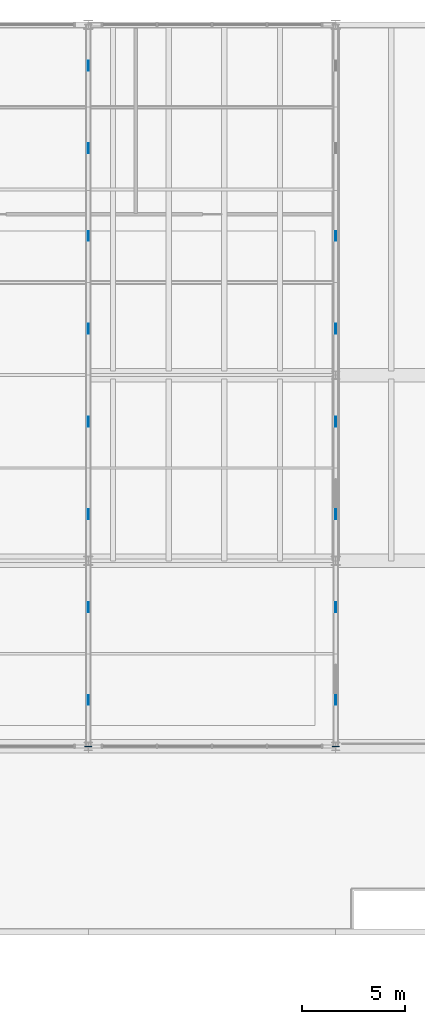
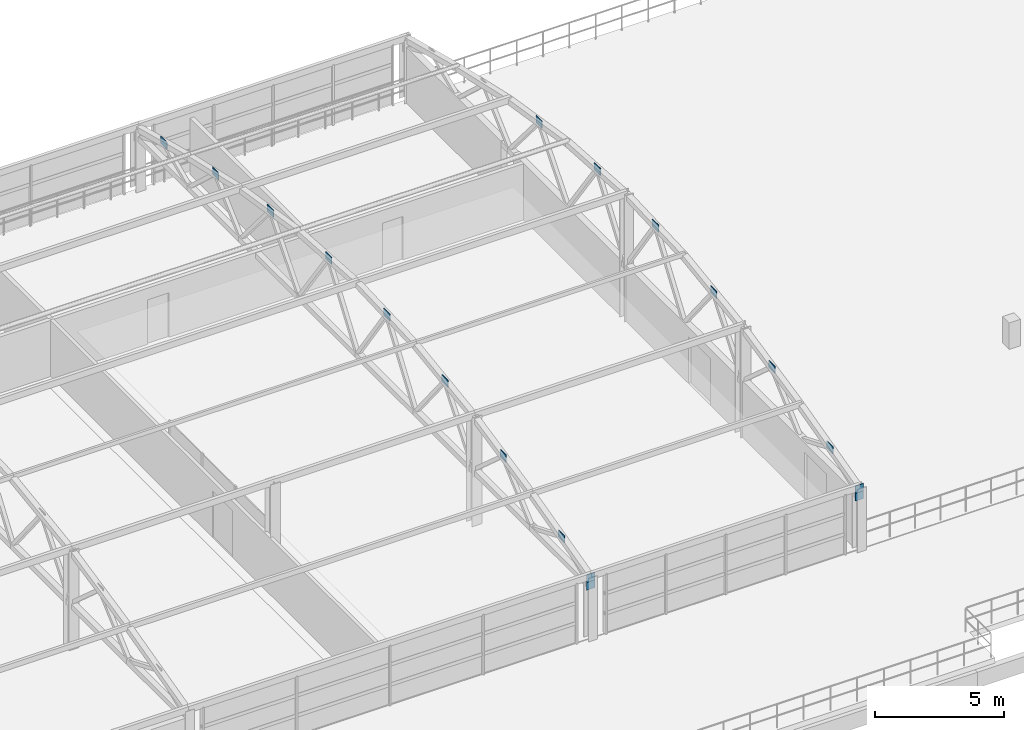
# One storey, part 34 of 50: 18 plates.
"""IFC4 building model written with IfcOpenShell, lengths in metres."""

from ifc_helpers import new_model, si_unit, derived_unit, direction, frame, origin, origin_2d, place, context, subcontext, project, spatial, rectangle, extrude, material, layer, layer_set, type_object, element, save


model = new_model("IFC4")

# Units and contexts
model_context = context("Model", 3, precision=1e-05, world=origin(), true_north=direction((0.0, 1.0)))
body_context = subcontext(model_context, "Body", "Model", "MODEL_VIEW")
ifc_project = project(units=[si_unit("LENGTHUNIT", "METRE"), si_unit("AREAUNIT", "SQUARE_METRE"), si_unit("VOLUMEUNIT", "CUBIC_METRE"), si_unit("PLANEANGLEUNIT", "RADIAN"), si_unit("MASSUNIT", "GRAM", prefix="KILO"), si_unit("THERMODYNAMICTEMPERATUREUNIT", "KELVIN"), derived_unit("THERMALTRANSMITTANCEUNIT", [(si_unit("POWERUNIT", "WATT"), 1), (si_unit("AREAUNIT", "SQUARE_METRE"), -1), (si_unit("THERMODYNAMICTEMPERATUREUNIT", "KELVIN"), -1)])], contexts=[model_context])

# Site, building, storey
site_placement = place(None, origin())
site = spatial("IfcSite", under=ifc_project, at=site_placement, CompositionType="ELEMENT")
building_placement = place(site_placement, origin())
building = spatial("IfcBuilding", under=site, at=building_placement, Name="Haiyu Intermodal Mobility Hub", CompositionType="ELEMENT")
storey_placement = place(building_placement, frame((0.0, 0.0, 25.10009765625)))
storey = spatial("IfcBuildingStorey", under=building, at=storey_placement, Name="L06", CompositionType="ELEMENT", Elevation=25.10009765625)

# Plates
ifc_material = material(Name="Steel Q355C", Category="steel")
ifc_layer_1 = layer(ifc_material, 0.031982421875)
ifc_layer_set_1 = layer_set([ifc_layer_1], Name="Steel Q355C")
plate_type_1 = type_object("IfcPlateType", Name="PLT-GP02-INT", PredefinedType="USERDEFINED", material=ifc_layer_set_1)
for number, where, z_axis, x_axis, name in (
    (1, (96.0, 113.0, 2.6796875), (0.0, 0.0, 1.0), (1.0, 0.0, 0.0), "Pavilion Truss End Cap 5-1"),
    (2, (96.0, 113.0, 2.31982421875), (0.0, 0.0, 1.0), (1.0, 0.0, 0.0), "Pavilion Truss End Cap 5-3"),
    (3, (108.0, 113.0, 2.6796875), (0.0, 0.0, 1.0), (1.0, 0.0, 0.0), "Pavilion Truss End Cap 6-1"),
    (4, (108.0, 113.0, 2.31982421875), (0.0, 0.0, 1.0), (1.0, 0.0, 0.0), "Pavilion Truss End Cap 6-3"),
):
    element("IfcPlate", number, at=place(storey_placement, frame(where, z_axis=z_axis, x_axis=x_axis)), inside=storey, type_object=plate_type_1, Name=name, ObjectType="GUSSET PLATE", PredefinedType="USERDEFINED", context=body_context, shape_type="SweptSolid", body=[
        extrude(rectangle(XDim=0.360107421875, YDim=0.028076171875, at=origin_2d()), origin(), (0.0, 0.0, 1.0), 0.360107421875),
    ])
ifc_layer_2 = layer(ifc_material, 0.028076171875)
ifc_layer_set_2 = layer_set([ifc_layer_2], Name="Steel Q355C")
plate_type_2 = type_object("IfcPlateType", Name="PLT-GP03", PredefinedType="USERDEFINED", material=ifc_layer_set_2)
for number, where, z_axis, x_axis, name in (
    (5, (96.0, 115.25, 3.27001953125), (0.0, 0.0, 1.0), (1.0, 0.0, 0.0), "PLT-PAV-065"),
    (6, (96.0, 119.75, 4.3359375), (0.0, 0.0, 1.0), (1.0, 0.0, 0.0), "PLT-PAV-066"),
    (7, (96.0, 124.25, 5.13671875), (0.0, 0.0, 1.0), (1.0, 0.0, 0.0), "PLT-PAV-067"),
    (8, (96.0, 128.75, 5.544921875), (0.0, 0.0, 1.0), (1.0, 0.0, 0.0), "PLT-PAV-068"),
    (9, (96.0, 133.25, 5.49169921875), (0.0, 0.0, 1.0), (1.0, 0.0, 0.0), "PLT-PAV-069"),
    (10, (96.0, 137.75, 4.98974609375), (0.0, 0.0, 1.0), (1.0, 0.0, 0.0), "PLT-PAV-070"),
    (11, (96.0, 142.0, 4.1787109375), (0.0, 0.0, 1.0), (1.0, 0.0, 0.0), "PLT-PAV-071"),
    (12, (96.0, 146.0, 3.2080078125), (0.0, 0.0, 1.0), (1.0, 0.0, 0.0), "PLT-PAV-072"),
):
    element("IfcPlate", number, at=place(storey_placement, frame(where, z_axis=z_axis, x_axis=x_axis)), inside=storey, type_object=plate_type_2, Name=name, ObjectType="GUSSET PLATE", PredefinedType="USERDEFINED", context=body_context, shape_type="SweptSolid", body=[
        extrude(rectangle(XDim=0.028076171875, YDim=0.47998046875, at=origin_2d()), origin(), (0.0, 0.0, 1.0), 0.340087890625),
    ])
ifc_layer_3 = layer(ifc_material, 0.02587890625)
ifc_layer_set_3 = layer_set([ifc_layer_3], Name="Steel Q355C")
plate_type_3 = type_object("IfcPlateType", Name="PLT-GP06-INT", PredefinedType="USERDEFINED", material=ifc_layer_set_3)
for number, where, z_axis, x_axis, name in (
    (13, (108.0, 115.25, 3.27001953125), (0.0, 0.0, 1.0), (1.0, 0.0, 0.0), "PLT-PAV-073"),
    (14, (108.0, 119.75, 4.3359375), (0.0, 0.0, 1.0), (1.0, 0.0, 0.0), "PLT-PAV-074"),
    (15, (108.0, 124.25, 5.13671875), (0.0, 0.0, 1.0), (1.0, 0.0, 0.0), "PLT-PAV-075"),
    (16, (108.0, 128.75, 5.544921875), (0.0, 0.0, 1.0), (1.0, 0.0, 0.0), "PLT-PAV-076"),
    (17, (108.0, 133.25, 5.49169921875), (0.0, 0.0, 1.0), (1.0, 0.0, 0.0), "PLT-PAV-077"),
    (18, (108.0, 137.75, 4.98974609375), (0.0, 0.0, 1.0), (1.0, 0.0, 0.0), "PLT-PAV-078"),
):
    element("IfcPlate", number, at=place(storey_placement, frame(where, z_axis=z_axis, x_axis=x_axis)), inside=storey, type_object=plate_type_3, Name=name, ObjectType="GUSSET PLATE", PredefinedType="USERDEFINED", context=body_context, shape_type="SweptSolid", body=[
        extrude(rectangle(XDim=0.028076171875, YDim=0.47998046875, at=origin_2d()), origin(), (0.0, 0.0, 1.0), 0.340087890625),
    ])

save(model, "model.ifc")
